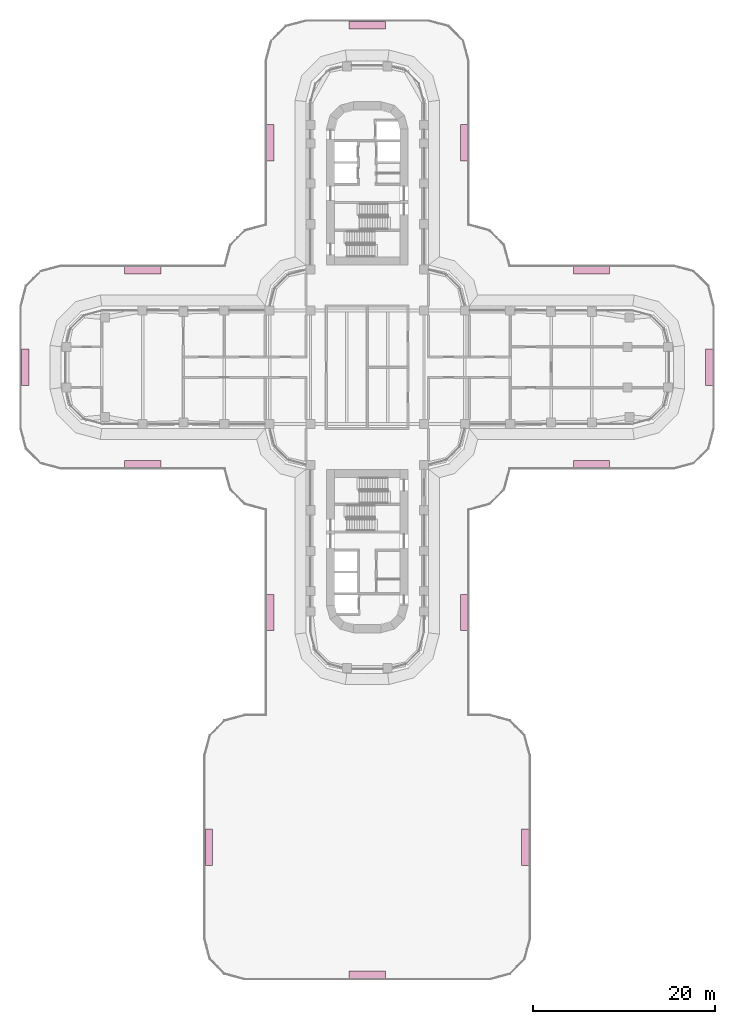
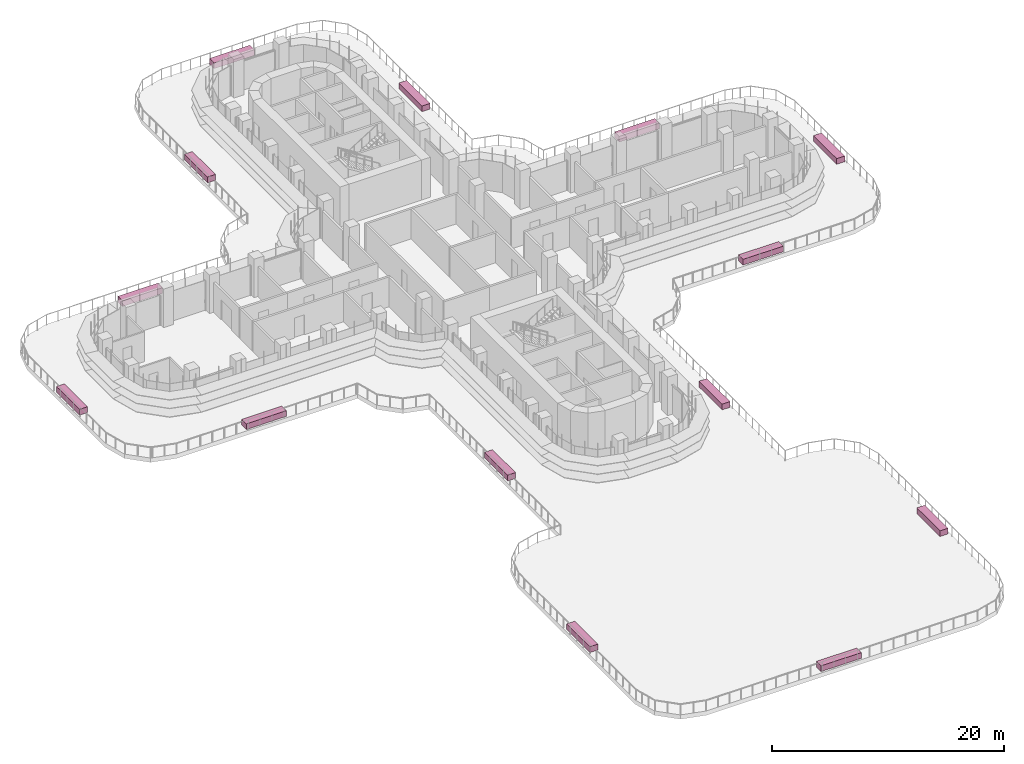
# One storey, part 26 of 26: 14 furniture elements.
"""IFC4 building model written with IfcOpenShell, lengths in metres."""

from ifc_helpers import new_model, si_unit, direction, frame, origin, origin_2d, place, context, subcontext, project, spatial, rectangle, extrude, material, type_object, element, save


model = new_model("IFC4")

# Units and contexts
model_context = context("Model", 3, precision=1e-05, world=origin(), true_north=direction((0.0, 1.0)))
body_context = subcontext(model_context, "Body", "Model", "MODEL_VIEW")
ifc_project = project(units=[si_unit("LENGTHUNIT", "METRE"), si_unit("AREAUNIT", "SQUARE_METRE"), si_unit("VOLUMEUNIT", "CUBIC_METRE"), si_unit("PLANEANGLEUNIT", "RADIAN"), si_unit("MASSUNIT", "GRAM", prefix="KILO")], contexts=[model_context])

# Site, building, storey
site_placement = place(None, origin())
site = spatial("IfcSite", under=ifc_project, at=site_placement, CompositionType="ELEMENT")
building_placement = place(site_placement, origin())
building = spatial("IfcBuilding", under=site, at=building_placement, Name="Zarbagh Exchange Tower", CompositionType="ELEMENT")
storey_placement = place(building_placement, frame((0.0, 0.0, 27.0)))
storey = spatial("IfcBuildingStorey", under=building, at=storey_placement, Name="L05", CompositionType="ELEMENT", Elevation=27.0)

# Furniture
ifc_material = material(Name="Concrete C40/50", Category="concrete")
furniture_type = type_object("IfcFurnitureType", Name="PLANTER planting bed, concrete trough", AssemblyPlace="NOTDEFINED", PredefinedType="USERDEFINED", material=ifc_material)
for number, where, z_axis, x_axis, name in (
    (1, (0.0, -66.919921875, 0.0), (0.0, 0.0, 1.0), (-1.0, 0.0, 0.0), "planter"),
    (2, (-17.419921875, -52.875, 0.0), (0.0, 0.0, 1.0), (0.0, 1.0, 0.0), "planter"),
    (3, (-10.669921875, -27.00927734375, 0.0), (0.0, 0.0, 1.0), (0.0, 1.0, 0.0), "planter"),
    (4, (-24.714111328125, -10.669921875, 0.0), (0.0, 0.0, 1.0), (-1.0, 0.0, 0.0), "planter"),
    (5, (-37.669921875, 0.0, 0.0), (0.0, 0.0, 1.0), (0.0, 1.0, 0.0), "planter"),
    (6, (-24.714111328125, 10.669921875, 0.0), (0.0, 0.0, 1.0), (1.0, 0.0, 0.0), "planter"),
    (7, (-10.669921875, 24.714111328125, 0.0), (0.0, 0.0, 1.0), (0.0, 1.0, 0.0), "planter"),
    (8, (0.0, 37.669921875, 0.0), (0.0, 0.0, 1.0), (1.0, 0.0, 0.0), "planter"),
    (9, (10.669921875, 24.714111328125, 0.0), (0.0, 0.0, 1.0), (0.0, -1.0, 0.0), "planter"),
    (10, (24.714111328125, 10.669921875, 0.0), (0.0, 0.0, 1.0), (1.0, 0.0, 0.0), "planter"),
    (11, (37.669921875, 0.0, 0.0), (0.0, 0.0, 1.0), (0.0, -1.0, 0.0), "planter"),
    (12, (24.714111328125, -10.669921875, 0.0), (0.0, 0.0, 1.0), (-1.0, 0.0, 0.0), "planter"),
    (13, (10.669921875, -27.00927734375, 0.0), (0.0, 0.0, 1.0), (0.0, -1.0, 0.0), "planter"),
    (14, (17.419921875, -52.875, 0.0), (0.0, 0.0, 1.0), (0.0, -1.0, 0.0), "planter"),
):
    element("IfcFurniture", number, at=place(storey_placement, frame(where, z_axis=z_axis, x_axis=x_axis)), inside=storey, type_object=furniture_type, Name=name, ObjectType="PLANTER", PredefinedType="USERDEFINED", context=body_context, shape_type="SweptSolid", body=[
        extrude(rectangle(XDim=4.0, YDim=0.800048828125, at=origin_2d()), origin(), (0.0, 0.0, 1.0), 0.60009765625),
    ])

save(model, "model.ifc")
